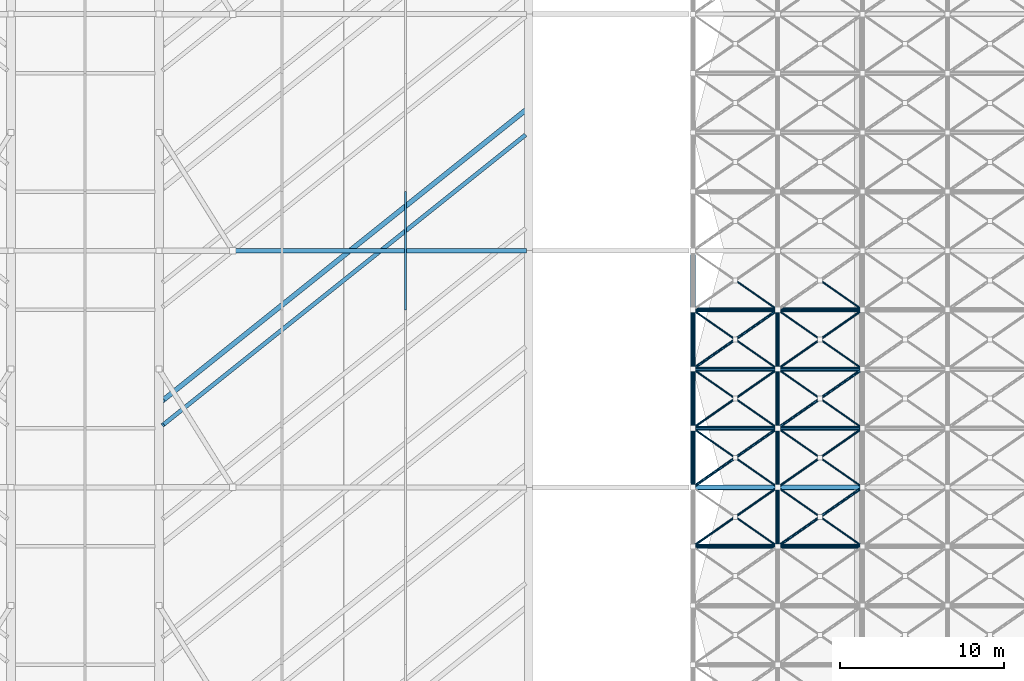
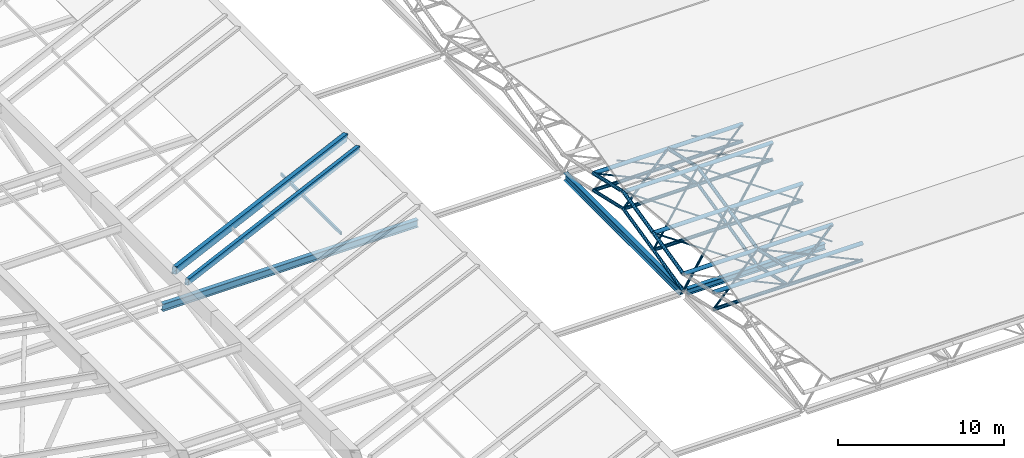
# One storey, part 24 of 110: 58 members, 5 beams.
"""IFC4 building model written with IfcOpenShell, lengths in metres."""

from ifc_helpers import new_model, si_unit, direction, frame, origin, origin_2d, place, context, subcontext, project, spatial, hollow_rectangle, hollow_circle, i_section, extrude, material, material_profile, profile_set, type_object, element, save


model = new_model("IFC4")

# Units and contexts
model_context = context("Model", 3, precision=1e-05, world=origin(), true_north=direction((0.0, 1.0)))
body_context = subcontext(model_context, "Body", "Model", "MODEL_VIEW")
ifc_project = project(units=[si_unit("LENGTHUNIT", "METRE"), si_unit("AREAUNIT", "SQUARE_METRE"), si_unit("VOLUMEUNIT", "CUBIC_METRE"), si_unit("PLANEANGLEUNIT", "RADIAN"), si_unit("MASSUNIT", "GRAM", prefix="KILO")], contexts=[model_context])

# Site, building, storey
site_placement = place(None, origin())
site = spatial("IfcSite", under=ifc_project, at=site_placement, CompositionType="ELEMENT")
building_placement = place(site_placement, origin())
building = spatial("IfcBuilding", under=site, at=building_placement, Name="Tamarisk Ironworks Central Station", CompositionType="ELEMENT")
storey_placement = place(building_placement, frame((0.0, 0.0, 17.39990234375)))
storey = spatial("IfcBuildingStorey", under=building, at=storey_placement, Name="L03", CompositionType="ELEMENT", Elevation=17.39990234375)

# Beams
ifc_material_1 = material(Name="Painted structural steel S355J2", Category="steel")
ifc_material_profile_1 = material_profile(ifc_material_1, hollow_rectangle(XDim=0.300048828125, YDim=0.5, WallThickness=0.02001953125, at=origin_2d()), Name="RHS 500x300x20")
ifc_profile_set_1 = profile_set([ifc_material_profile_1], Name="Painted structural steel S355J2")
beam_type_1 = type_object("IfcBeamType", Name="BM-FR01", PredefinedType="USERDEFINED", material=ifc_profile_set_1)
beam_1_placement = place(storey_placement, frame((85.75, 41.300048828125, 7.873291015625), z_axis=(0.74681641456, 0.597451475993, -0.292090699574), x_axis=(-0.624693991975, 0.780869653906, 0.0)))
element("IfcBeam", 1, at=beam_1_placement, inside=storey, type_object=beam_type_1, Name="Concourse paired 45-degree white fishbone roof rib 0140", ObjectType="FISHBONE ROOF RIB", PredefinedType="USERDEFINED", context=body_context, shape_type="SweptSolid", body=[
    extrude(hollow_rectangle(XDim=0.300048828125, YDim=0.5, WallThickness=0.02001953125, at=origin_2d()), origin(), (0.0, 0.0, 1.0), 29.49169921875),
])
ifc_material_profile_2 = material_profile(ifc_material_1, hollow_rectangle(XDim=0.25, YDim=0.39990234375, WallThickness=0.01611328125, at=origin_2d()), Name="RHS 400x250x16")
ifc_profile_set_2 = profile_set([ifc_material_profile_2], Name="Painted structural steel S355J2")
beam_type_2 = type_object("IfcBeamType", Name="BM-FR03", PredefinedType="USERDEFINED", material=ifc_profile_set_2)
beam_2_placement = place(storey_placement, frame((85.75, 39.800048828125, 7.9208984375), z_axis=(0.746818220349, 0.59745292062, -0.292083127547), x_axis=(-0.624693991975, 0.780869653906, 0.0)))
element("IfcBeam", 2, at=beam_2_placement, inside=storey, type_object=beam_type_2, Name="Concourse paired 45-degree white fishbone roof rib 0138", ObjectType="FISHBONE ROOF RIB", PredefinedType="USERDEFINED", context=body_context, shape_type="SweptSolid", body=[
    extrude(hollow_rectangle(XDim=0.25, YDim=0.39990234375, WallThickness=0.01611328125, at=origin_2d()), origin(), (0.0, 0.0, 1.0), 29.49169921875),
])
ifc_material_2 = material(Name="Structural steel S355J2", Category="steel")
ifc_material_profile_3 = material_profile(ifc_material_2, i_section(OverallWidth=0.300048828125, OverallDepth=0.5400390625, WebThickness=0.012451171875, FlangeThickness=0.02392578125, at=origin_2d()), Name="HEA 550")
ifc_profile_set_3 = profile_set([ifc_material_profile_3], Name="Structural steel S355J2")
beam_type_3 = type_object("IfcBeamType", Name="BM-G04", PredefinedType="BEAM", material=ifc_profile_set_3)
beam_3_placement = place(storey_placement, frame((118.0, 36.238037109375, -1.869873046875), z_axis=(0.0, 1.0, 0.0), x_axis=(-1.0, 0.0, 0.0)))
element("IfcBeam", 3, at=beam_3_placement, inside=storey, type_object=beam_type_3, Name="L03 primary girder Y-0607", PredefinedType="BEAM", context=body_context, shape_type="SweptSolid", body=[
    extrude(i_section(OverallWidth=0.300048828125, OverallDepth=0.5400390625, WebThickness=0.012451171875, FlangeThickness=0.02392578125, at=origin_2d()), origin(), (0.0, 0.0, 1.0), 13.924072265625),
])
beam_4_placement = place(storey_placement, frame((90.139892578125, 50.39990234375, -1.869873046875), z_axis=(1.0, 0.0, 0.0), x_axis=(0.0, 1.0, 0.0)))
element("IfcBeam", 4, at=beam_4_placement, inside=storey, type_object=beam_type_3, Name="Concourse roof portal tie girder 028", PredefinedType="BEAM", context=body_context, shape_type="SweptSolid", body=[
    extrude(i_section(OverallWidth=0.300048828125, OverallDepth=0.5400390625, WebThickness=0.012451171875, FlangeThickness=0.02392578125, at=origin_2d()), origin(), (0.0, 0.0, 1.0), 17.72021484375),
])
ifc_material_profile_4 = material_profile(ifc_material_2, i_section(OverallWidth=0.300048828125, OverallDepth=0.43994140625, WebThickness=0.011474609375, FlangeThickness=0.02099609375, at=origin_2d()), Name="HEA 450")
ifc_profile_set_4 = profile_set([ifc_material_profile_4], Name="Structural steel S355J2")
beam_type_4 = type_object("IfcBeamType", Name="BM-G06", PredefinedType="BEAM", material=ifc_profile_set_4)
beam_5_placement = place(storey_placement, frame((118.238037109375, 36.0, -1.81982421875), z_axis=(1.0, 0.0, 0.0), x_axis=(0.0, 1.0, 0.0)))
element("IfcBeam", 5, at=beam_5_placement, inside=storey, type_object=beam_type_4, Name="L03 primary girder X-0552", PredefinedType="BEAM", context=body_context, shape_type="SweptSolid", body=[
    extrude(i_section(OverallWidth=0.300048828125, OverallDepth=0.43994140625, WebThickness=0.011474609375, FlangeThickness=0.02099609375, at=origin_2d()), origin(), (0.0, 0.0, 1.0), 9.57080078125),
])

# Members
ifc_material_profile_5 = material_profile(ifc_material_1, hollow_rectangle(XDim=0.1201171875, YDim=0.219970703125, WallThickness=0.008056640625, at=origin_2d()), Name="RHS 220x120x8")
ifc_profile_set_5 = profile_set([ifc_material_profile_5], Name="Painted structural steel S355J2")
member_type_1 = type_object("IfcMemberType", Name="MB-PR01", PredefinedType="PURLIN", material=ifc_profile_set_5)
member_1_placement = place(storey_placement, frame((100.5, 46.800048828125, 2.0693359375), z_axis=(0.0, 1.0, 0.0), x_axis=(-1.0, 0.0, 0.0)))
element("IfcMember", 6, at=member_1_placement, inside=storey, type_object=member_type_1, Name="Concourse roof glazing purlin 0062", PredefinedType="PURLIN", context=body_context, shape_type="SweptSolid", body=[
    extrude(hollow_rectangle(XDim=0.1201171875, YDim=0.219970703125, WallThickness=0.008056640625, at=origin_2d()), origin(), (0.0, 0.0, 1.0), 7.199951171875),
])
ifc_material_3 = material(Name="Structural steel S355J2H", Category="steel")
ifc_material_profile_6 = material_profile(ifc_material_3, hollow_circle(Radius=0.136474609375, WallThickness=0.012451171875, at=origin_2d()), Name="CHS 273x12.5")
ifc_profile_set_6 = profile_set([ifc_material_profile_6], Name="Structural steel S355J2H")
member_type_2 = type_object("IfcMemberType", Name="MB-SFC01", PredefinedType="CHORD", material=ifc_profile_set_6)
member_2_placement = place(storey_placement, frame((118.0, 32.39990234375, 0.35498046875), z_axis=(1.0, 0.0, 0.0), x_axis=(0.0, 1.0, 0.0)))
element("IfcMember", 7, at=member_2_placement, inside=storey, type_object=member_type_2, Name="Train shed space-frame top chord 1087", PredefinedType="CHORD", context=body_context, shape_type="SweptSolid", body=[
    extrude(hollow_circle(Radius=0.136474609375, WallThickness=0.012451171875, at=origin_2d()), origin(), (0.0, 0.0, 1.0), 5.166748046875),
])
member_3_placement = place(storey_placement, frame((123.166748046875, 32.39990234375, 0.35498046875), z_axis=(1.0, 0.0, 0.0), x_axis=(0.0, 1.0, 0.0)))
element("IfcMember", 8, at=member_3_placement, inside=storey, type_object=member_type_2, Name="Train shed space-frame top chord 1088", PredefinedType="CHORD", context=body_context, shape_type="SweptSolid", body=[
    extrude(hollow_circle(Radius=0.136474609375, WallThickness=0.012451171875, at=origin_2d()), origin(), (0.0, 0.0, 1.0), 5.16650390625),
])
member_4_placement = place(storey_placement, frame((118.0, 36.0, -0.469970703125), z_axis=(1.0, 0.0, 0.0), x_axis=(0.0, 1.0, 0.0)))
element("IfcMember", 9, at=member_4_placement, inside=storey, type_object=member_type_2, Name="Train shed space-frame top chord 1099", PredefinedType="CHORD", context=body_context, shape_type="SweptSolid", body=[
    extrude(hollow_circle(Radius=0.136474609375, WallThickness=0.012451171875, at=origin_2d()), origin(), (0.0, 0.0, 1.0), 5.166748046875),
])
member_5_placement = place(storey_placement, frame((123.166748046875, 36.0, -0.469970703125), z_axis=(1.0, 0.0, 0.0), x_axis=(0.0, 1.0, 0.0)))
element("IfcMember", 10, at=member_5_placement, inside=storey, type_object=member_type_2, Name="Train shed space-frame top chord 1100", PredefinedType="CHORD", context=body_context, shape_type="SweptSolid", body=[
    extrude(hollow_circle(Radius=0.136474609375, WallThickness=0.012451171875, at=origin_2d()), origin(), (0.0, 0.0, 1.0), 5.16650390625),
])
member_6_placement = place(storey_placement, frame((118.0, 39.60009765625, 0.35498046875), z_axis=(1.0, 0.0, 0.0), x_axis=(0.0, 1.0, 0.0)))
element("IfcMember", 11, at=member_6_placement, inside=storey, type_object=member_type_2, Name="Train shed space-frame top chord 1347", PredefinedType="CHORD", context=body_context, shape_type="SweptSolid", body=[
    extrude(hollow_circle(Radius=0.136474609375, WallThickness=0.012451171875, at=origin_2d()), origin(), (0.0, 0.0, 1.0), 5.166748046875),
])
member_7_placement = place(storey_placement, frame((123.166748046875, 39.60009765625, 0.35498046875), z_axis=(1.0, 0.0, 0.0), x_axis=(0.0, 1.0, 0.0)))
element("IfcMember", 12, at=member_7_placement, inside=storey, type_object=member_type_2, Name="Train shed space-frame top chord 1348", PredefinedType="CHORD", context=body_context, shape_type="SweptSolid", body=[
    extrude(hollow_circle(Radius=0.136474609375, WallThickness=0.012451171875, at=origin_2d()), origin(), (0.0, 0.0, 1.0), 5.16650390625),
])
member_8_placement = place(storey_placement, frame((118.0, 43.199951171875, 1.18017578125), z_axis=(1.0, 0.0, 0.0), x_axis=(0.0, 1.0, 0.0)))
element("IfcMember", 13, at=member_8_placement, inside=storey, type_object=member_type_2, Name="Train shed space-frame top chord 1359", PredefinedType="CHORD", context=body_context, shape_type="SweptSolid", body=[
    extrude(hollow_circle(Radius=0.136474609375, WallThickness=0.012451171875, at=origin_2d()), origin(), (0.0, 0.0, 1.0), 5.166748046875),
])
member_9_placement = place(storey_placement, frame((123.166748046875, 43.199951171875, 1.18017578125), z_axis=(1.0, 0.0, 0.0), x_axis=(0.0, 1.0, 0.0)))
element("IfcMember", 14, at=member_9_placement, inside=storey, type_object=member_type_2, Name="Train shed space-frame top chord 1360", PredefinedType="CHORD", context=body_context, shape_type="SweptSolid", body=[
    extrude(hollow_circle(Radius=0.136474609375, WallThickness=0.012451171875, at=origin_2d()), origin(), (0.0, 0.0, 1.0), 5.16650390625),
])
member_10_placement = place(storey_placement, frame((118.0, 46.800048828125, 0.35498046875), z_axis=(1.0, 0.0, 0.0), x_axis=(0.0, 1.0, 0.0)))
element("IfcMember", 15, at=member_10_placement, inside=storey, type_object=member_type_2, Name="Train shed space-frame top chord 1371", PredefinedType="CHORD", context=body_context, shape_type="SweptSolid", body=[
    extrude(hollow_circle(Radius=0.136474609375, WallThickness=0.012451171875, at=origin_2d()), origin(), (0.0, 0.0, 1.0), 5.166748046875),
])
member_11_placement = place(storey_placement, frame((123.166748046875, 46.800048828125, 0.35498046875), z_axis=(1.0, 0.0, 0.0), x_axis=(0.0, 1.0, 0.0)))
element("IfcMember", 16, at=member_11_placement, inside=storey, type_object=member_type_2, Name="Train shed space-frame top chord 1372", PredefinedType="CHORD", context=body_context, shape_type="SweptSolid", body=[
    extrude(hollow_circle(Radius=0.136474609375, WallThickness=0.012451171875, at=origin_2d()), origin(), (0.0, 0.0, 1.0), 5.16650390625),
])
ifc_material_profile_7 = material_profile(ifc_material_3, hollow_circle(Radius=0.122314453125, WallThickness=0.012451171875, at=origin_2d()), Name="CHS 244.5x12.5")
ifc_profile_set_7 = profile_set([ifc_material_profile_7], Name="Structural steel S355J2H")
member_type_3 = type_object("IfcMemberType", Name="MB-SFC02", PredefinedType="CHORD", material=ifc_profile_set_7)
member_12_placement = place(storey_placement, frame((118.0, 32.39990234375, -0.89501953125), z_axis=(1.0, 0.0, 0.0), x_axis=(0.0, 1.0, 0.0)))
element("IfcMember", 17, at=member_12_placement, inside=storey, type_object=member_type_3, Name="Train shed space-frame bottom chord 0987", PredefinedType="CHORD", context=body_context, shape_type="SweptSolid", body=[
    extrude(hollow_circle(Radius=0.122314453125, WallThickness=0.012451171875, at=origin_2d()), origin(), (0.0, 0.0, 1.0), 5.166748046875),
])
member_13_placement = place(storey_placement, frame((123.166748046875, 32.39990234375, -0.89501953125), z_axis=(1.0, 0.0, 0.0), x_axis=(0.0, 1.0, 0.0)))
element("IfcMember", 18, at=member_13_placement, inside=storey, type_object=member_type_3, Name="Train shed space-frame bottom chord 0988", PredefinedType="CHORD", context=body_context, shape_type="SweptSolid", body=[
    extrude(hollow_circle(Radius=0.122314453125, WallThickness=0.012451171875, at=origin_2d()), origin(), (0.0, 0.0, 1.0), 5.16650390625),
])
member_14_placement = place(storey_placement, frame((123.166748046875, 32.39990234375, 0.35498046875), z_axis=(0.0, 0.974736516158, -0.223357838607), x_axis=(-1.0, 0.0, 0.0)))
element("IfcMember", 19, at=member_14_placement, inside=storey, type_object=member_type_3, Name="Train shed space-frame top transverse chord 1118", PredefinedType="CHORD", context=body_context, shape_type="SweptSolid", body=[
    extrude(hollow_circle(Radius=0.122314453125, WallThickness=0.012451171875, at=origin_2d()), origin(), (0.0, 0.0, 1.0), 3.693359375),
])
member_15_placement = place(storey_placement, frame((118.0, 39.60009765625, -0.89501953125), z_axis=(1.0, 0.0, 0.0), x_axis=(0.0, 1.0, 0.0)))
element("IfcMember", 20, at=member_15_placement, inside=storey, type_object=member_type_3, Name="Train shed space-frame bottom chord 1259", PredefinedType="CHORD", context=body_context, shape_type="SweptSolid", body=[
    extrude(hollow_circle(Radius=0.122314453125, WallThickness=0.012451171875, at=origin_2d()), origin(), (0.0, 0.0, 1.0), 5.166748046875),
])
member_16_placement = place(storey_placement, frame((123.166748046875, 39.60009765625, -0.89501953125), z_axis=(1.0, 0.0, 0.0), x_axis=(0.0, 1.0, 0.0)))
element("IfcMember", 21, at=member_16_placement, inside=storey, type_object=member_type_3, Name="Train shed space-frame bottom chord 1260", PredefinedType="CHORD", context=body_context, shape_type="SweptSolid", body=[
    extrude(hollow_circle(Radius=0.122314453125, WallThickness=0.012451171875, at=origin_2d()), origin(), (0.0, 0.0, 1.0), 5.16650390625),
])
member_17_placement = place(storey_placement, frame((118.0, 43.199951171875, -0.06982421875), z_axis=(1.0, 0.0, 0.0), x_axis=(0.0, 1.0, 0.0)))
element("IfcMember", 22, at=member_17_placement, inside=storey, type_object=member_type_3, Name="Train shed space-frame bottom chord 1271", PredefinedType="CHORD", context=body_context, shape_type="SweptSolid", body=[
    extrude(hollow_circle(Radius=0.122314453125, WallThickness=0.012451171875, at=origin_2d()), origin(), (0.0, 0.0, 1.0), 5.166748046875),
])
member_18_placement = place(storey_placement, frame((123.166748046875, 43.199951171875, -0.06982421875), z_axis=(1.0, 0.0, 0.0), x_axis=(0.0, 1.0, 0.0)))
element("IfcMember", 23, at=member_18_placement, inside=storey, type_object=member_type_3, Name="Train shed space-frame bottom chord 1272", PredefinedType="CHORD", context=body_context, shape_type="SweptSolid", body=[
    extrude(hollow_circle(Radius=0.122314453125, WallThickness=0.012451171875, at=origin_2d()), origin(), (0.0, 0.0, 1.0), 5.16650390625),
])
member_19_placement = place(storey_placement, frame((118.0, 46.800048828125, -0.89501953125), z_axis=(1.0, 0.0, 0.0), x_axis=(0.0, 1.0, 0.0)))
element("IfcMember", 24, at=member_19_placement, inside=storey, type_object=member_type_3, Name="Train shed space-frame bottom chord 1283", PredefinedType="CHORD", context=body_context, shape_type="SweptSolid", body=[
    extrude(hollow_circle(Radius=0.122314453125, WallThickness=0.012451171875, at=origin_2d()), origin(), (0.0, 0.0, 1.0), 5.166748046875),
])
member_20_placement = place(storey_placement, frame((123.166748046875, 46.800048828125, -0.89501953125), z_axis=(1.0, 0.0, 0.0), x_axis=(0.0, 1.0, 0.0)))
element("IfcMember", 25, at=member_20_placement, inside=storey, type_object=member_type_3, Name="Train shed space-frame bottom chord 1284", PredefinedType="CHORD", context=body_context, shape_type="SweptSolid", body=[
    extrude(hollow_circle(Radius=0.122314453125, WallThickness=0.012451171875, at=origin_2d()), origin(), (0.0, 0.0, 1.0), 5.16650390625),
])
member_21_placement = place(storey_placement, frame((118.0, 36.0, -0.469970703125), z_axis=(0.0, 0.974736516158, 0.223357838607), x_axis=(-1.0, 0.0, 0.0)))
element("IfcMember", 26, at=member_21_placement, inside=storey, type_object=member_type_3, Name="Train shed space-frame top transverse chord 1395", PredefinedType="CHORD", context=body_context, shape_type="SweptSolid", body=[
    extrude(hollow_circle(Radius=0.122314453125, WallThickness=0.012451171875, at=origin_2d()), origin(), (0.0, 0.0, 1.0), 3.693359375),
])
member_22_placement = place(storey_placement, frame((118.0, 39.60009765625, 0.35498046875), z_axis=(0.0, 0.974718823144, 0.223435037113), x_axis=(-1.0, 0.0, 0.0)))
element("IfcMember", 27, at=member_22_placement, inside=storey, type_object=member_type_3, Name="Train shed space-frame top transverse chord 1396", PredefinedType="CHORD", context=body_context, shape_type="SweptSolid", body=[
    extrude(hollow_circle(Radius=0.122314453125, WallThickness=0.012451171875, at=origin_2d()), origin(), (0.0, 0.0, 1.0), 3.693115234375),
])
for number, where, z_axis, x_axis, name in (
    (28, (118.0, 43.199951171875, 1.18017578125), (0.0, 0.974722123001, -0.223420641241), (-1.0, 0.0, 0.0), "Train shed space-frame top transverse chord 1397"),
    (29, (123.166748046875, 36.0, -0.469970703125), (0.0, 0.974736516158, 0.223357838607), (-1.0, 0.0, 0.0), "Train shed space-frame top transverse chord 1399"),
):
    element("IfcMember", number, at=place(storey_placement, frame(where, z_axis=z_axis, x_axis=x_axis)), inside=storey, type_object=member_type_3, Name=name, PredefinedType="CHORD", context=body_context, shape_type="SweptSolid", body=[
        extrude(hollow_circle(Radius=0.122314453125, WallThickness=0.012451171875, at=origin_2d()), origin(), (0.0, 0.0, 1.0), 3.693359375),
    ])
member_23_placement = place(storey_placement, frame((123.166748046875, 39.60009765625, 0.35498046875), z_axis=(0.0, 0.974718823144, 0.223435037113), x_axis=(-1.0, 0.0, 0.0)))
element("IfcMember", 30, at=member_23_placement, inside=storey, type_object=member_type_3, Name="Train shed space-frame top transverse chord 1400", PredefinedType="CHORD", context=body_context, shape_type="SweptSolid", body=[
    extrude(hollow_circle(Radius=0.122314453125, WallThickness=0.012451171875, at=origin_2d()), origin(), (0.0, 0.0, 1.0), 3.693115234375),
])
member_24_placement = place(storey_placement, frame((123.166748046875, 43.199951171875, 1.18017578125), z_axis=(0.0, 0.974722123001, -0.223420641241), x_axis=(-1.0, 0.0, 0.0)))
element("IfcMember", 31, at=member_24_placement, inside=storey, type_object=member_type_3, Name="Train shed space-frame top transverse chord 1401", PredefinedType="CHORD", context=body_context, shape_type="SweptSolid", body=[
    extrude(hollow_circle(Radius=0.122314453125, WallThickness=0.012451171875, at=origin_2d()), origin(), (0.0, 0.0, 1.0), 3.693359375),
])
ifc_material_profile_8 = material_profile(ifc_material_3, hollow_circle(Radius=0.109619140625, WallThickness=0.010009765625, at=origin_2d()), Name="CHS 219.1x10")
ifc_profile_set_8 = profile_set([ifc_material_profile_8], Name="Structural steel S355J2H")
member_type_4 = type_object("IfcMemberType", Name="MB-SFC03", PredefinedType="CHORD", material=ifc_profile_set_8)
for number, where, z_axis, x_axis, name in (
    (32, (123.166748046875, 32.39990234375, -0.89501953125), (0.0, 0.974736516158, -0.223357838607), (-1.0, 0.0, 0.0), "Train shed space-frame transverse chord 1006"),
    (33, (118.0, 36.0, -1.719970703125), (0.0, 0.974736516158, 0.223357838607), (-1.0, 0.0, 0.0), "Train shed space-frame transverse chord 1295"),
):
    element("IfcMember", number, at=place(storey_placement, frame(where, z_axis=z_axis, x_axis=x_axis)), inside=storey, type_object=member_type_4, Name=name, PredefinedType="CHORD", context=body_context, shape_type="SweptSolid", body=[
        extrude(hollow_circle(Radius=0.109619140625, WallThickness=0.010009765625, at=origin_2d()), origin(), (0.0, 0.0, 1.0), 3.693359375),
    ])
member_25_placement = place(storey_placement, frame((118.0, 39.60009765625, -0.89501953125), z_axis=(0.0, 0.974718823144, 0.223435037113), x_axis=(-1.0, 0.0, 0.0)))
element("IfcMember", 34, at=member_25_placement, inside=storey, type_object=member_type_4, Name="Train shed space-frame transverse chord 1296", PredefinedType="CHORD", context=body_context, shape_type="SweptSolid", body=[
    extrude(hollow_circle(Radius=0.109619140625, WallThickness=0.010009765625, at=origin_2d()), origin(), (0.0, 0.0, 1.0), 3.693115234375),
])
for number, where, z_axis, x_axis, name in (
    (35, (118.0, 43.199951171875, -0.06982421875), (0.0, 0.974722123001, -0.223420641241), (-1.0, 0.0, 0.0), "Train shed space-frame transverse chord 1297"),
    (36, (123.166748046875, 36.0, -1.719970703125), (0.0, 0.974736516158, 0.223357838607), (-1.0, 0.0, 0.0), "Train shed space-frame transverse chord 1299"),
):
    element("IfcMember", number, at=place(storey_placement, frame(where, z_axis=z_axis, x_axis=x_axis)), inside=storey, type_object=member_type_4, Name=name, PredefinedType="CHORD", context=body_context, shape_type="SweptSolid", body=[
        extrude(hollow_circle(Radius=0.109619140625, WallThickness=0.010009765625, at=origin_2d()), origin(), (0.0, 0.0, 1.0), 3.693359375),
    ])
member_26_placement = place(storey_placement, frame((123.166748046875, 39.60009765625, -0.89501953125), z_axis=(0.0, 0.974718823144, 0.223435037113), x_axis=(-1.0, 0.0, 0.0)))
element("IfcMember", 37, at=member_26_placement, inside=storey, type_object=member_type_4, Name="Train shed space-frame transverse chord 1300", PredefinedType="CHORD", context=body_context, shape_type="SweptSolid", body=[
    extrude(hollow_circle(Radius=0.109619140625, WallThickness=0.010009765625, at=origin_2d()), origin(), (0.0, 0.0, 1.0), 3.693115234375),
])
member_27_placement = place(storey_placement, frame((123.166748046875, 43.199951171875, -0.06982421875), z_axis=(0.0, 0.974722123001, -0.223420641241), x_axis=(-1.0, 0.0, 0.0)))
element("IfcMember", 38, at=member_27_placement, inside=storey, type_object=member_type_4, Name="Train shed space-frame transverse chord 1301", PredefinedType="CHORD", context=body_context, shape_type="SweptSolid", body=[
    extrude(hollow_circle(Radius=0.109619140625, WallThickness=0.010009765625, at=origin_2d()), origin(), (0.0, 0.0, 1.0), 3.693359375),
])
ifc_material_profile_9 = material_profile(ifc_material_3, hollow_circle(Radius=0.084228515625, WallThickness=0.010009765625, at=origin_2d()), Name="CHS 168.3x10")
ifc_profile_set_9 = profile_set([ifc_material_profile_9], Name="Structural steel S355J2H")
member_type_5 = type_object("IfcMemberType", Name="MB-SFD01", PredefinedType="BRACE", material=ifc_profile_set_9)
member_28_placement = place(storey_placement, frame((123.166748046875, 32.39990234375, -0.89501953125), z_axis=(0.818594988647, 0.570409304536, 0.067345897138), x_axis=(-0.571707258436, 0.820457683645, 0.0)))
element("IfcMember", 39, at=member_28_placement, inside=storey, type_object=member_type_5, Name="Train shed space-frame diagonal 1177", PredefinedType="BRACE", context=body_context, shape_type="SweptSolid", body=[
    extrude(hollow_circle(Radius=0.084228515625, WallThickness=0.010009765625, at=origin_2d()), origin(), (0.0, 0.0, 1.0), 6.3115234375),
])
member_29_placement = place(storey_placement, frame((118.0, 36.0, -1.719970703125), z_axis=(0.77925836502, 0.542973295402, 0.312947920631), x_axis=(-0.571689073201, 0.82047035509, 0.0)))
element("IfcMember", 40, at=member_29_placement, inside=storey, type_object=member_type_5, Name="Train shed space-frame diagonal 1447", PredefinedType="BRACE", context=body_context, shape_type="SweptSolid", body=[
    extrude(hollow_circle(Radius=0.084228515625, WallThickness=0.010009765625, at=origin_2d()), origin(), (0.0, 0.0, 1.0), 6.63037109375),
])
member_30_placement = place(storey_placement, frame((118.0, 43.199951171875, -0.06982421875), z_axis=(0.818609881232, 0.570392728283, 0.067305258864), x_axis=(-0.571689073201, 0.82047035509, 0.0)))
element("IfcMember", 41, at=member_30_placement, inside=storey, type_object=member_type_5, Name="Train shed space-frame diagonal 1451", PredefinedType="BRACE", context=body_context, shape_type="SweptSolid", body=[
    extrude(hollow_circle(Radius=0.084228515625, WallThickness=0.010009765625, at=origin_2d()), origin(), (0.0, 0.0, 1.0), 6.3115234375),
])
member_31_placement = place(storey_placement, frame((123.166748046875, 39.60009765625, -0.89501953125), z_axis=(0.779250501976, 0.54295665115, 0.31299637401), x_axis=(-0.571681159291, 0.820475869305, 0.0)))
element("IfcMember", 42, at=member_31_placement, inside=storey, type_object=member_type_5, Name="Train shed space-frame diagonal 1457", PredefinedType="BRACE", context=body_context, shape_type="SweptSolid", body=[
    extrude(hollow_circle(Radius=0.084228515625, WallThickness=0.010009765625, at=origin_2d()), origin(), (0.0, 0.0, 1.0), 6.630126953125),
])
ifc_material_profile_10 = material_profile(ifc_material_3, hollow_circle(Radius=0.06982421875, WallThickness=0.008056640625, at=origin_2d()), Name="CHS 139.7x8")
ifc_profile_set_10 = profile_set([ifc_material_profile_10], Name="Structural steel S355J2H")
member_type_6 = type_object("IfcMemberType", Name="MB-SFD02", PredefinedType="BRACE", material=ifc_profile_set_10)
member_32_placement = place(storey_placement, frame((118.0, 32.39990234375, -0.89501953125), z_axis=(0.818607749421, 0.570391242875, 0.067343764671), x_axis=(-0.571689073201, 0.82047035509, 0.0)))
element("IfcMember", 43, at=member_32_placement, inside=storey, type_object=member_type_6, Name="Train shed space-frame diagonal 1169", PredefinedType="BRACE", context=body_context, shape_type="SweptSolid", body=[
    extrude(hollow_circle(Radius=0.06982421875, WallThickness=0.008056640625, at=origin_2d()), origin(), (0.0, 0.0, 1.0), 6.3115234375),
])
member_33_placement = place(storey_placement, frame((118.0, 39.60009765625, -0.89501953125), z_axis=(0.779264964314, 0.542941071625, 0.312987392934), x_axis=(-0.57166297408, 0.820488539875, 0.0)))
element("IfcMember", 44, at=member_33_placement, inside=storey, type_object=member_type_6, Name="Train shed space-frame diagonal 1449", PredefinedType="BRACE", context=body_context, shape_type="SweptSolid", body=[
    extrude(hollow_circle(Radius=0.06982421875, WallThickness=0.008056640625, at=origin_2d()), origin(), (0.0, 0.0, 1.0), 6.63037109375),
])
member_34_placement = place(storey_placement, frame((123.166748046875, 36.0, -1.719970703125), z_axis=(0.779243902426, 0.542988875587, 0.312956900421), x_axis=(-0.571707258436, 0.820457683645, 0.0)))
element("IfcMember", 45, at=member_34_placement, inside=storey, type_object=member_type_6, Name="Train shed space-frame diagonal 1455", PredefinedType="BRACE", context=body_context, shape_type="SweptSolid", body=[
    extrude(hollow_circle(Radius=0.06982421875, WallThickness=0.008056640625, at=origin_2d()), origin(), (0.0, 0.0, 1.0), 6.630126953125),
])
member_35_placement = place(storey_placement, frame((123.166748046875, 43.199951171875, -0.06982421875), z_axis=(0.81859712056, 0.570410790085, 0.067307390123), x_axis=(-0.571707258436, 0.820457683645, 0.0)))
element("IfcMember", 46, at=member_35_placement, inside=storey, type_object=member_type_6, Name="Train shed space-frame diagonal 1459", PredefinedType="BRACE", context=body_context, shape_type="SweptSolid", body=[
    extrude(hollow_circle(Radius=0.06982421875, WallThickness=0.008056640625, at=origin_2d()), origin(), (0.0, 0.0, 1.0), 6.3115234375),
])
ifc_material_profile_11 = material_profile(ifc_material_3, hollow_circle(Radius=0.05712890625, WallThickness=0.00634765625, at=origin_2d()), Name="CHS 114.3x6.3")
ifc_profile_set_11 = profile_set([ifc_material_profile_11], Name="Structural steel S355J2H")
member_type_7 = type_object("IfcMemberType", Name="MB-SFD03", PredefinedType="BRACE", material=ifc_profile_set_11)
for number, where, z_axis, x_axis, name in (
    (47, (123.166748046875, 32.39990234375, -0.89501953125), (-0.818584353535, 0.570418740152, 0.06739523003), (-0.571718624339, -0.820449763596, 0.0), "Train shed space-frame split counter-diagonal lower 1170"),
    (48, (128.333251953125, 32.39990234375, -0.89501953125), (-0.818584353535, 0.570418740152, 0.06739523003), (-0.571718624339, -0.820449763596, 0.0), "Train shed space-frame split counter-diagonal lower 1178"),
    (49, (125.705078125, 34.2314453125, -0.6787109375), (-0.81862545828, 0.570368646704, 0.067319877544), (-0.571665501983, -0.820486778591, 0.0), "Train shed space-frame split counter-diagonal upper 1178"),
):
    element("IfcMember", number, at=place(storey_placement, frame(where, z_axis=z_axis, x_axis=x_axis)), inside=storey, type_object=member_type_7, Name=name, PredefinedType="BRACE", context=body_context, shape_type="SweptSolid", body=[
        extrude(hollow_circle(Radius=0.05712890625, WallThickness=0.00634765625, at=origin_2d()), origin(), (0.0, 0.0, 1.0), 3.100830078125),
    ])
for number, where, z_axis, x_axis, name in (
    (50, (123.166748046875, 36.0, -1.719970703125), (-0.779281371438, 0.542935800781, 0.31295568434), (-0.571651135352, -0.820496788203, 0.0), "Train shed space-frame split counter-diagonal lower 1448"),
    (51, (120.540283203125, 37.829833984375, -0.665283203125), (-0.779220271205, 0.543020296637, 0.312961221852), (-0.571741198525, -0.820434032637, 0.0), "Train shed space-frame split counter-diagonal upper 1448"),
):
    element("IfcMember", number, at=place(storey_placement, frame(where, z_axis=z_axis, x_axis=x_axis)), inside=storey, type_object=member_type_7, Name=name, PredefinedType="BRACE", context=body_context, shape_type="SweptSolid", body=[
        extrude(hollow_circle(Radius=0.05712890625, WallThickness=0.00634765625, at=origin_2d()), origin(), (0.0, 0.0, 1.0), 3.260009765625),
    ])
member_36_placement = place(storey_placement, frame((123.166748046875, 39.60009765625, -0.89501953125), z_axis=(-0.779263106243, 0.542923075174, 0.313023235066), x_axis=(-0.571651135352, -0.820496788203, 0.0)))
element("IfcMember", 52, at=member_36_placement, inside=storey, type_object=member_type_7, Name="Train shed space-frame split counter-diagonal lower 1450", PredefinedType="BRACE", context=body_context, shape_type="SweptSolid", body=[
    extrude(hollow_circle(Radius=0.05712890625, WallThickness=0.00634765625, at=origin_2d()), origin(), (0.0, 0.0, 1.0), 3.26025390625),
])
member_37_placement = place(storey_placement, frame((120.540283203125, 41.429931640625, 0.159912109375), z_axis=(-0.779251958926, 0.542967486998, 0.312973948712), x_axis=(-0.571688120068, -0.820471019216, 0.0)))
element("IfcMember", 53, at=member_37_placement, inside=storey, type_object=member_type_7, Name="Train shed space-frame split counter-diagonal upper 1450", PredefinedType="BRACE", context=body_context, shape_type="SweptSolid", body=[
    extrude(hollow_circle(Radius=0.05712890625, WallThickness=0.00634765625, at=origin_2d()), origin(), (0.0, 0.0, 1.0), 3.260009765625),
])
for number, where, z_axis, x_axis, name in (
    (54, (123.166748046875, 43.199951171875, -0.06982421875), (-0.81862545828, 0.570368646704, 0.067319877544), (-0.571665501983, -0.820486778591, 0.0), "Train shed space-frame split counter-diagonal lower 1452"),
    (55, (120.538330078125, 45.031494140625, 0.146240234375), (-0.81862545828, 0.570368646704, 0.067319877544), (-0.571665501983, -0.820486778591, 0.0), "Train shed space-frame split counter-diagonal upper 1452"),
    (56, (123.166748046875, 46.800048828125, -0.89501953125), (-0.818621116616, 0.570365621695, 0.067398256788), (-0.571665501983, -0.820486778591, 0.0), "Train shed space-frame split counter-diagonal lower 1454"),
):
    element("IfcMember", number, at=place(storey_placement, frame(where, z_axis=z_axis, x_axis=x_axis)), inside=storey, type_object=member_type_7, Name=name, PredefinedType="BRACE", context=body_context, shape_type="SweptSolid", body=[
        extrude(hollow_circle(Radius=0.05712890625, WallThickness=0.00634765625, at=origin_2d()), origin(), (0.0, 0.0, 1.0), 3.100830078125),
    ])
for number, where, z_axis, x_axis, name in (
    (57, (128.333251953125, 36.0, -1.719970703125), (-0.779251958926, 0.542967486998, 0.312973948712), (-0.571688120068, -0.820471019216, 0.0), "Train shed space-frame split counter-diagonal lower 1456"),
    (58, (125.70703125, 37.829833984375, -0.665283203125), (-0.779220271205, 0.543020296637, 0.312961221852), (-0.571741198525, -0.820434032637, 0.0), "Train shed space-frame split counter-diagonal upper 1456"),
    (59, (128.333251953125, 39.60009765625, -0.89501953125), (-0.779233692289, 0.542954759164, 0.313041502525), (-0.571688120068, -0.820471019216, 0.0), "Train shed space-frame split counter-diagonal lower 1458"),
    (60, (125.70703125, 41.429931640625, 0.159912109375), (-0.779251958926, 0.542967486998, 0.312973948712), (-0.571688120068, -0.820471019216, 0.0), "Train shed space-frame split counter-diagonal upper 1458"),
):
    element("IfcMember", number, at=place(storey_placement, frame(where, z_axis=z_axis, x_axis=x_axis)), inside=storey, type_object=member_type_7, Name=name, PredefinedType="BRACE", context=body_context, shape_type="SweptSolid", body=[
        extrude(hollow_circle(Radius=0.05712890625, WallThickness=0.00634765625, at=origin_2d()), origin(), (0.0, 0.0, 1.0), 3.260009765625),
    ])
for number, where, z_axis, x_axis, name in (
    (61, (128.333251953125, 43.199951171875, -0.06982421875), (-0.81862545828, 0.570368646704, 0.067319877544), (-0.571665501983, -0.820486778591, 0.0), "Train shed space-frame split counter-diagonal lower 1460"),
    (62, (125.705078125, 45.031494140625, 0.146240234375), (-0.81862545828, 0.570368646704, 0.067319877544), (-0.571665501983, -0.820486778591, 0.0), "Train shed space-frame split counter-diagonal upper 1460"),
    (63, (128.333251953125, 46.800048828125, -0.89501953125), (-0.818621116616, 0.570365621695, 0.067398256788), (-0.571665501983, -0.820486778591, 0.0), "Train shed space-frame split counter-diagonal lower 1462"),
):
    element("IfcMember", number, at=place(storey_placement, frame(where, z_axis=z_axis, x_axis=x_axis)), inside=storey, type_object=member_type_7, Name=name, PredefinedType="BRACE", context=body_context, shape_type="SweptSolid", body=[
        extrude(hollow_circle(Radius=0.05712890625, WallThickness=0.00634765625, at=origin_2d()), origin(), (0.0, 0.0, 1.0), 3.100830078125),
    ])

save(model, "model.ifc")
